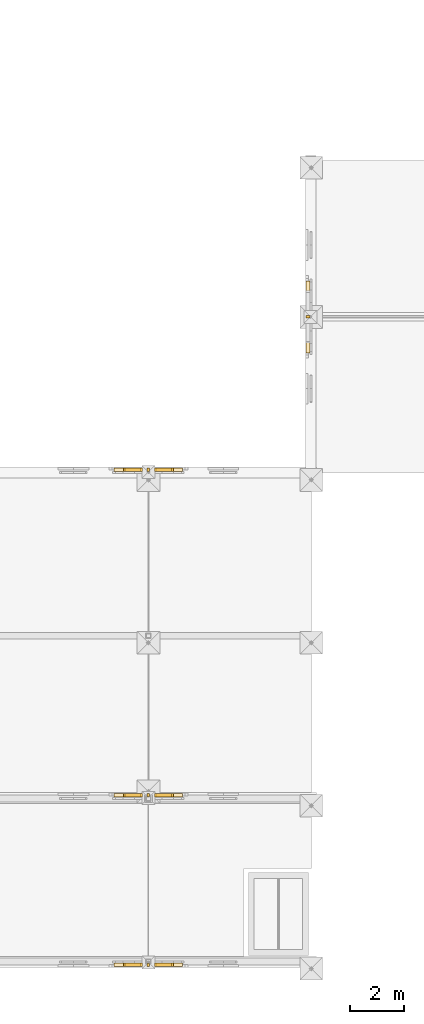
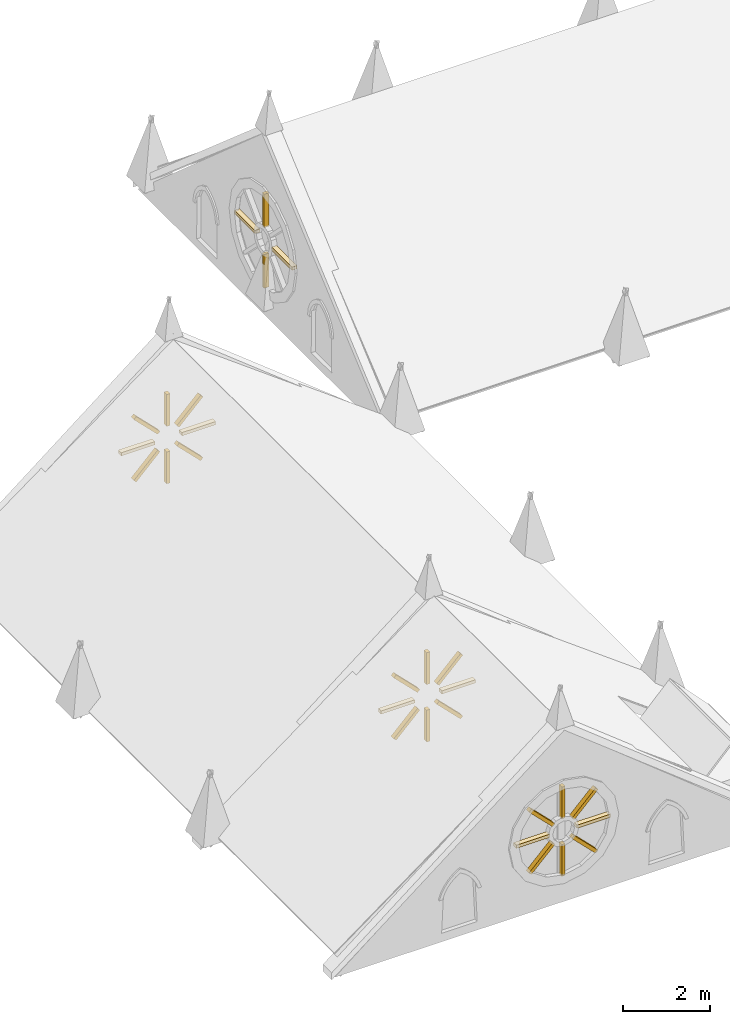
# One storey, part 32 of 33: 28 coverings.
"""IFC4 building model written with IfcOpenShell, lengths in metres."""

from ifc_helpers import new_model, si_unit, direction, frame, origin, place, context, subcontext, project, spatial, polyline, outline, extrude, material, type_object, element, save


model = new_model("IFC4")

# Units and contexts
model_context = context("Model", 3, precision=1e-05, world=origin(), true_north=direction((0.0, 1.0)))
body_context = subcontext(model_context, "Body", "Model", "MODEL_VIEW")
ifc_project = project(units=[si_unit("LENGTHUNIT", "METRE"), si_unit("AREAUNIT", "SQUARE_METRE"), si_unit("VOLUMEUNIT", "CUBIC_METRE"), si_unit("PLANEANGLEUNIT", "RADIAN"), si_unit("MASSUNIT", "GRAM", prefix="KILO")], contexts=[model_context])

# Site, building, storey
site_placement = place(None, origin())
site = spatial("IfcSite", under=ifc_project, at=site_placement, CompositionType="ELEMENT")
building_placement = place(site_placement, origin())
building = spatial("IfcBuilding", under=site, at=building_placement, Name="Cumevento Cable Car Station", CompositionType="ELEMENT")
storey_placement = place(building_placement, frame((0.0, 0.0, 22.5)))
storey = spatial("IfcBuildingStorey", under=building, at=storey_placement, Name="RF", CompositionType="ELEMENT", Elevation=22.5)

# Coverings
ifc_material = material(Name="Gnaisse Facoidal Stone Ashlar 85 MPa", Category="masonry")
covering_type = type_object("IfcCoveringType", Name="Gnaisse Ashlar Cladding CV-CL01", PredefinedType="CLADDING", material=ifc_material)
placement_1 = place(storey_placement, frame((22.0, 27.0, 0.0), z_axis=(0.0, 0.0, 1.0), x_axis=(-1.0, 0.0, 0.0)))
element("IfcCovering", 1, at=placement_1, inside=storey, type_object=covering_type, Name="Gothic Rose Stone Tracery Mullion wing_B_V6b_core_S #1", PredefinedType="CLADDING", context=body_context, shape_type="SweptSolid", body=[
    extrude(outline(polyline([(6.362060546875, 1.984375), (7.257080078125, 1.984375), (7.257080078125, 1.894287109375), (6.362060546875, 1.894287109375), (6.362060546875, 1.984375)])), frame((0.0, 0.18505859375, 0.0), z_axis=(0.0, -1.0, 0.0), x_axis=(1.0, 0.0, 0.0)), (0.0, 0.0, 1.0), 0.1298828125),
])
element("IfcCovering", 2, at=placement_1, inside=storey, type_object=covering_type, Name="Gothic Rose Stone Tracery Mullion wing_B_V6b_core_S #2", PredefinedType="CLADDING", context=body_context, shape_type="SweptSolid", body=[
    extrude(outline(polyline([(6.22412109375, 2.22705078125), (6.857177734375, 2.860107421875), (6.920654296875, 2.79638671875), (6.287841796875, 2.16357421875), (6.22412109375, 2.22705078125)])), frame((0.0, 0.18505859375, 0.0), z_axis=(0.0, -1.0, 0.0), x_axis=(1.0, 0.0, 0.0)), (0.0, 0.0, 1.0), 0.1298828125),
])
element("IfcCovering", 3, at=placement_1, inside=storey, type_object=covering_type, Name="Gothic Rose Stone Tracery Mullion wing_B_V6b_core_S #3", PredefinedType="CLADDING", context=body_context, shape_type="SweptSolid", body=[
    extrude(outline(polyline([(5.955078125, 2.30126953125), (5.955078125, 3.1962890625), (6.044921875, 3.1962890625), (6.044921875, 2.30126953125), (5.955078125, 2.30126953125)])), frame((0.0, 0.18505859375, 0.0), z_axis=(0.0, -1.0, 0.0), x_axis=(1.0, 0.0, 0.0)), (0.0, 0.0, 1.0), 0.1298828125),
])
element("IfcCovering", 4, at=placement_1, inside=storey, type_object=covering_type, Name="Gothic Rose Stone Tracery Mullion wing_B_V6b_core_S #4", PredefinedType="CLADDING", context=body_context, shape_type="SweptSolid", body=[
    extrude(outline(polyline([(5.712158203125, 2.16357421875), (5.079345703125, 2.79638671875), (5.142822265625, 2.860107421875), (5.77587890625, 2.22705078125), (5.712158203125, 2.16357421875)])), frame((0.0, 0.18505859375, 0.0), z_axis=(0.0, -1.0, 0.0), x_axis=(1.0, 0.0, 0.0)), (0.0, 0.0, 1.0), 0.1298828125),
])
element("IfcCovering", 5, at=placement_1, inside=storey, type_object=covering_type, Name="Gothic Rose Stone Tracery Mullion wing_B_V6b_core_S #5", PredefinedType="CLADDING", context=body_context, shape_type="SweptSolid", body=[
    extrude(outline(polyline([(5.637939453125, 1.894287109375), (4.742919921875, 1.894287109375), (4.742919921875, 1.984375), (5.637939453125, 1.984375), (5.637939453125, 1.894287109375)])), frame((0.0, 0.18505859375, 0.0), z_axis=(0.0, -1.0, 0.0), x_axis=(1.0, 0.0, 0.0)), (0.0, 0.0, 1.0), 0.1298828125),
])
element("IfcCovering", 6, at=placement_1, inside=storey, type_object=covering_type, Name="Gothic Rose Stone Tracery Mullion wing_B_V6b_core_S #6", PredefinedType="CLADDING", context=body_context, shape_type="SweptSolid", body=[
    extrude(outline(polyline([(5.77587890625, 1.651611328125), (5.142822265625, 1.0185546875), (5.079345703125, 1.082275390625), (5.712158203125, 1.715087890625), (5.77587890625, 1.651611328125)])), frame((0.0, 0.18505859375, 0.0), z_axis=(0.0, -1.0, 0.0), x_axis=(1.0, 0.0, 0.0)), (0.0, 0.0, 1.0), 0.1298828125),
])
element("IfcCovering", 7, at=placement_1, inside=storey, type_object=covering_type, Name="Gothic Rose Stone Tracery Mullion wing_B_V6b_core_S #7", PredefinedType="CLADDING", context=body_context, shape_type="SweptSolid", body=[
    extrude(outline(polyline([(6.044921875, 1.577392578125), (6.044921875, 0.68212890625), (5.955078125, 0.68212890625), (5.955078125, 1.577392578125), (6.044921875, 1.577392578125)])), frame((0.0, 0.18505859375, 0.0), z_axis=(0.0, -1.0, 0.0), x_axis=(1.0, 0.0, 0.0)), (0.0, 0.0, 1.0), 0.1298828125),
])
element("IfcCovering", 8, at=placement_1, inside=storey, type_object=covering_type, Name="Gothic Rose Stone Tracery Mullion wing_B_V6b_core_S #8", PredefinedType="CLADDING", context=body_context, shape_type="SweptSolid", body=[
    extrude(outline(polyline([(6.287841796875, 1.715087890625), (6.920654296875, 1.082275390625), (6.857177734375, 1.0185546875), (6.22412109375, 1.651611328125), (6.287841796875, 1.715087890625)])), frame((0.0, 0.18505859375, 0.0), z_axis=(0.0, -1.0, 0.0), x_axis=(1.0, 0.0, 0.0)), (0.0, 0.0, 1.0), 0.1298828125),
])
placement_2 = place(storey_placement, frame((10.0, 33.0, 0.0), z_axis=(0.0, 0.0, 1.0), x_axis=(1.0, 0.0, 0.0)))
element("IfcCovering", 9, at=placement_2, inside=storey, type_object=covering_type, Name="Gothic Rose Stone Tracery Mullion wing_B_V6b_core_N #1", PredefinedType="CLADDING", context=body_context, shape_type="SweptSolid", body=[
    extrude(outline(polyline([(6.362060546875, 1.984375), (7.257080078125, 1.984375), (7.257080078125, 1.894287109375), (6.362060546875, 1.894287109375), (6.362060546875, 1.984375)])), frame((0.0, 0.18505859375, 0.0), z_axis=(0.0, -1.0, 0.0), x_axis=(1.0, 0.0, 0.0)), (0.0, 0.0, 1.0), 0.1298828125),
])
element("IfcCovering", 10, at=placement_2, inside=storey, type_object=covering_type, Name="Gothic Rose Stone Tracery Mullion wing_B_V6b_core_N #2", PredefinedType="CLADDING", context=body_context, shape_type="SweptSolid", body=[
    extrude(outline(polyline([(6.22412109375, 2.22705078125), (6.857177734375, 2.860107421875), (6.920654296875, 2.79638671875), (6.287841796875, 2.16357421875), (6.22412109375, 2.22705078125)])), frame((0.0, 0.18505859375, 0.0), z_axis=(0.0, -1.0, 0.0), x_axis=(1.0, 0.0, 0.0)), (0.0, 0.0, 1.0), 0.1298828125),
])
element("IfcCovering", 11, at=placement_2, inside=storey, type_object=covering_type, Name="Gothic Rose Stone Tracery Mullion wing_B_V6b_core_N #3", PredefinedType="CLADDING", context=body_context, shape_type="SweptSolid", body=[
    extrude(outline(polyline([(5.955078125, 2.30126953125), (5.955078125, 3.1962890625), (6.044921875, 3.1962890625), (6.044921875, 2.30126953125), (5.955078125, 2.30126953125)])), frame((0.0, 0.18505859375, 0.0), z_axis=(0.0, -1.0, 0.0), x_axis=(1.0, 0.0, 0.0)), (0.0, 0.0, 1.0), 0.1298828125),
])
element("IfcCovering", 12, at=placement_2, inside=storey, type_object=covering_type, Name="Gothic Rose Stone Tracery Mullion wing_B_V6b_core_N #4", PredefinedType="CLADDING", context=body_context, shape_type="SweptSolid", body=[
    extrude(outline(polyline([(5.712158203125, 2.16357421875), (5.079345703125, 2.79638671875), (5.142822265625, 2.860107421875), (5.77587890625, 2.22705078125), (5.712158203125, 2.16357421875)])), frame((0.0, 0.18505859375, 0.0), z_axis=(0.0, -1.0, 0.0), x_axis=(1.0, 0.0, 0.0)), (0.0, 0.0, 1.0), 0.1298828125),
])
element("IfcCovering", 13, at=placement_2, inside=storey, type_object=covering_type, Name="Gothic Rose Stone Tracery Mullion wing_B_V6b_core_N #5", PredefinedType="CLADDING", context=body_context, shape_type="SweptSolid", body=[
    extrude(outline(polyline([(5.637939453125, 1.894287109375), (4.742919921875, 1.894287109375), (4.742919921875, 1.984375), (5.637939453125, 1.984375), (5.637939453125, 1.894287109375)])), frame((0.0, 0.18505859375, 0.0), z_axis=(0.0, -1.0, 0.0), x_axis=(1.0, 0.0, 0.0)), (0.0, 0.0, 1.0), 0.1298828125),
])
element("IfcCovering", 14, at=placement_2, inside=storey, type_object=covering_type, Name="Gothic Rose Stone Tracery Mullion wing_B_V6b_core_N #6", PredefinedType="CLADDING", context=body_context, shape_type="SweptSolid", body=[
    extrude(outline(polyline([(5.77587890625, 1.651611328125), (5.142822265625, 1.0185546875), (5.079345703125, 1.082275390625), (5.712158203125, 1.715087890625), (5.77587890625, 1.651611328125)])), frame((0.0, 0.18505859375, 0.0), z_axis=(0.0, -1.0, 0.0), x_axis=(1.0, 0.0, 0.0)), (0.0, 0.0, 1.0), 0.1298828125),
])
element("IfcCovering", 15, at=placement_2, inside=storey, type_object=covering_type, Name="Gothic Rose Stone Tracery Mullion wing_B_V6b_core_N #7", PredefinedType="CLADDING", context=body_context, shape_type="SweptSolid", body=[
    extrude(outline(polyline([(6.044921875, 1.577392578125), (6.044921875, 0.68212890625), (5.955078125, 0.68212890625), (5.955078125, 1.577392578125), (6.044921875, 1.577392578125)])), frame((0.0, 0.18505859375, 0.0), z_axis=(0.0, -1.0, 0.0), x_axis=(1.0, 0.0, 0.0)), (0.0, 0.0, 1.0), 0.1298828125),
])
element("IfcCovering", 16, at=placement_2, inside=storey, type_object=covering_type, Name="Gothic Rose Stone Tracery Mullion wing_B_V6b_core_N #8", PredefinedType="CLADDING", context=body_context, shape_type="SweptSolid", body=[
    extrude(outline(polyline([(6.287841796875, 1.715087890625), (6.920654296875, 1.082275390625), (6.857177734375, 1.0185546875), (6.22412109375, 1.651611328125), (6.287841796875, 1.715087890625)])), frame((0.0, 0.18505859375, 0.0), z_axis=(0.0, -1.0, 0.0), x_axis=(1.0, 0.0, 0.0)), (0.0, 0.0, 1.0), 0.1298828125),
])
placement_3 = place(storey_placement, frame((10.0, 45.0, 0.0), z_axis=(0.0, 0.0, 1.0), x_axis=(1.0, 0.0, 0.0)))
element("IfcCovering", 17, at=placement_3, inside=storey, type_object=covering_type, Name="Gothic Rose Stone Tracery Mullion wing_B_V6b_N #1", PredefinedType="CLADDING", context=body_context, shape_type="SweptSolid", body=[
    extrude(outline(polyline([(6.362060546875, 1.984375), (7.257080078125, 1.984375), (7.257080078125, 1.894287109375), (6.362060546875, 1.894287109375), (6.362060546875, 1.984375)])), frame((0.0, 0.18505859375, 0.0), z_axis=(0.0, -1.0, 0.0), x_axis=(1.0, 0.0, 0.0)), (0.0, 0.0, 1.0), 0.1298828125),
])
element("IfcCovering", 18, at=placement_3, inside=storey, type_object=covering_type, Name="Gothic Rose Stone Tracery Mullion wing_B_V6b_N #2", PredefinedType="CLADDING", context=body_context, shape_type="SweptSolid", body=[
    extrude(outline(polyline([(6.22412109375, 2.22705078125), (6.857177734375, 2.860107421875), (6.920654296875, 2.79638671875), (6.287841796875, 2.16357421875), (6.22412109375, 2.22705078125)])), frame((0.0, 0.18505859375, 0.0), z_axis=(0.0, -1.0, 0.0), x_axis=(1.0, 0.0, 0.0)), (0.0, 0.0, 1.0), 0.1298828125),
])
element("IfcCovering", 19, at=placement_3, inside=storey, type_object=covering_type, Name="Gothic Rose Stone Tracery Mullion wing_B_V6b_N #3", PredefinedType="CLADDING", context=body_context, shape_type="SweptSolid", body=[
    extrude(outline(polyline([(5.955078125, 2.30126953125), (5.955078125, 3.1962890625), (6.044921875, 3.1962890625), (6.044921875, 2.30126953125), (5.955078125, 2.30126953125)])), frame((0.0, 0.18505859375, 0.0), z_axis=(0.0, -1.0, 0.0), x_axis=(1.0, 0.0, 0.0)), (0.0, 0.0, 1.0), 0.1298828125),
])
element("IfcCovering", 20, at=placement_3, inside=storey, type_object=covering_type, Name="Gothic Rose Stone Tracery Mullion wing_B_V6b_N #4", PredefinedType="CLADDING", context=body_context, shape_type="SweptSolid", body=[
    extrude(outline(polyline([(5.712158203125, 2.16357421875), (5.079345703125, 2.79638671875), (5.142822265625, 2.860107421875), (5.77587890625, 2.22705078125), (5.712158203125, 2.16357421875)])), frame((0.0, 0.18505859375, 0.0), z_axis=(0.0, -1.0, 0.0), x_axis=(1.0, 0.0, 0.0)), (0.0, 0.0, 1.0), 0.1298828125),
])
element("IfcCovering", 21, at=placement_3, inside=storey, type_object=covering_type, Name="Gothic Rose Stone Tracery Mullion wing_B_V6b_N #5", PredefinedType="CLADDING", context=body_context, shape_type="SweptSolid", body=[
    extrude(outline(polyline([(5.637939453125, 1.894287109375), (4.742919921875, 1.894287109375), (4.742919921875, 1.984375), (5.637939453125, 1.984375), (5.637939453125, 1.894287109375)])), frame((0.0, 0.18505859375, 0.0), z_axis=(0.0, -1.0, 0.0), x_axis=(1.0, 0.0, 0.0)), (0.0, 0.0, 1.0), 0.1298828125),
])
element("IfcCovering", 22, at=placement_3, inside=storey, type_object=covering_type, Name="Gothic Rose Stone Tracery Mullion wing_B_V6b_N #6", PredefinedType="CLADDING", context=body_context, shape_type="SweptSolid", body=[
    extrude(outline(polyline([(5.77587890625, 1.651611328125), (5.142822265625, 1.0185546875), (5.079345703125, 1.082275390625), (5.712158203125, 1.715087890625), (5.77587890625, 1.651611328125)])), frame((0.0, 0.18505859375, 0.0), z_axis=(0.0, -1.0, 0.0), x_axis=(1.0, 0.0, 0.0)), (0.0, 0.0, 1.0), 0.1298828125),
])
element("IfcCovering", 23, at=placement_3, inside=storey, type_object=covering_type, Name="Gothic Rose Stone Tracery Mullion wing_B_V6b_N #7", PredefinedType="CLADDING", context=body_context, shape_type="SweptSolid", body=[
    extrude(outline(polyline([(6.044921875, 1.577392578125), (6.044921875, 0.68212890625), (5.955078125, 0.68212890625), (5.955078125, 1.577392578125), (6.044921875, 1.577392578125)])), frame((0.0, 0.18505859375, 0.0), z_axis=(0.0, -1.0, 0.0), x_axis=(1.0, 0.0, 0.0)), (0.0, 0.0, 1.0), 0.1298828125),
])
element("IfcCovering", 24, at=placement_3, inside=storey, type_object=covering_type, Name="Gothic Rose Stone Tracery Mullion wing_B_V6b_N #8", PredefinedType="CLADDING", context=body_context, shape_type="SweptSolid", body=[
    extrude(outline(polyline([(6.287841796875, 1.715087890625), (6.920654296875, 1.082275390625), (6.857177734375, 1.0185546875), (6.22412109375, 1.651611328125), (6.287841796875, 1.715087890625)])), frame((0.0, 0.18505859375, 0.0), z_axis=(0.0, -1.0, 0.0), x_axis=(1.0, 0.0, 0.0)), (0.0, 0.0, 1.0), 0.1298828125),
])
placement_4 = place(storey_placement, frame((22.0, 45.0, 0.0), z_axis=(0.0, 0.0, 1.0), x_axis=(0.0, 1.0, 0.0)))
element("IfcCovering", 25, at=placement_4, inside=storey, type_object=covering_type, Name="Gothic Rose Stone Tracery Mullion wing_B_V6c_W #1", PredefinedType="CLADDING", context=body_context, shape_type="SweptSolid", body=[
    extrude(outline(polyline([(6.129638671875, 2.0869140625), (7.07470703125, 2.0869140625), (7.07470703125, 1.996826171875), (6.129638671875, 1.996826171875), (6.129638671875, 2.0869140625)])), frame((0.0, 0.18505859375, 0.0), z_axis=(0.0, -1.0, 0.0), x_axis=(1.0, 0.0, 0.0)), (0.0, 0.0, 1.0), 0.1298828125),
])
element("IfcCovering", 26, at=placement_4, inside=storey, type_object=covering_type, Name="Gothic Rose Stone Tracery Mullion wing_B_V6c_W #3", PredefinedType="CLADDING", context=body_context, shape_type="SweptSolid", body=[
    extrude(outline(polyline([(5.705078125, 2.42138671875), (5.705078125, 3.366455078125), (5.794921875, 3.366455078125), (5.794921875, 2.42138671875), (5.705078125, 2.42138671875)])), frame((0.0, 0.18505859375, 0.0), z_axis=(0.0, -1.0, 0.0), x_axis=(1.0, 0.0, 0.0)), (0.0, 0.0, 1.0), 0.1298828125),
])
element("IfcCovering", 27, at=placement_4, inside=storey, type_object=covering_type, Name="Gothic Rose Stone Tracery Mullion wing_B_V6c_W #5", PredefinedType="CLADDING", context=body_context, shape_type="SweptSolid", body=[
    extrude(outline(polyline([(5.370361328125, 1.996826171875), (4.42529296875, 1.996826171875), (4.42529296875, 2.0869140625), (5.370361328125, 2.0869140625), (5.370361328125, 1.996826171875)])), frame((0.0, 0.18505859375, 0.0), z_axis=(0.0, -1.0, 0.0), x_axis=(1.0, 0.0, 0.0)), (0.0, 0.0, 1.0), 0.1298828125),
])
element("IfcCovering", 28, at=placement_4, inside=storey, type_object=covering_type, Name="Gothic Rose Stone Tracery Mullion wing_B_V6c_W #7", PredefinedType="CLADDING", context=body_context, shape_type="SweptSolid", body=[
    extrude(outline(polyline([(5.794921875, 1.662109375), (5.794921875, 0.71728515625), (5.705078125, 0.71728515625), (5.705078125, 1.662109375), (5.794921875, 1.662109375)])), frame((0.0, 0.18505859375, 0.0), z_axis=(0.0, -1.0, 0.0), x_axis=(1.0, 0.0, 0.0)), (0.0, 0.0, 1.0), 0.1298828125),
])

save(model, "model.ifc")
